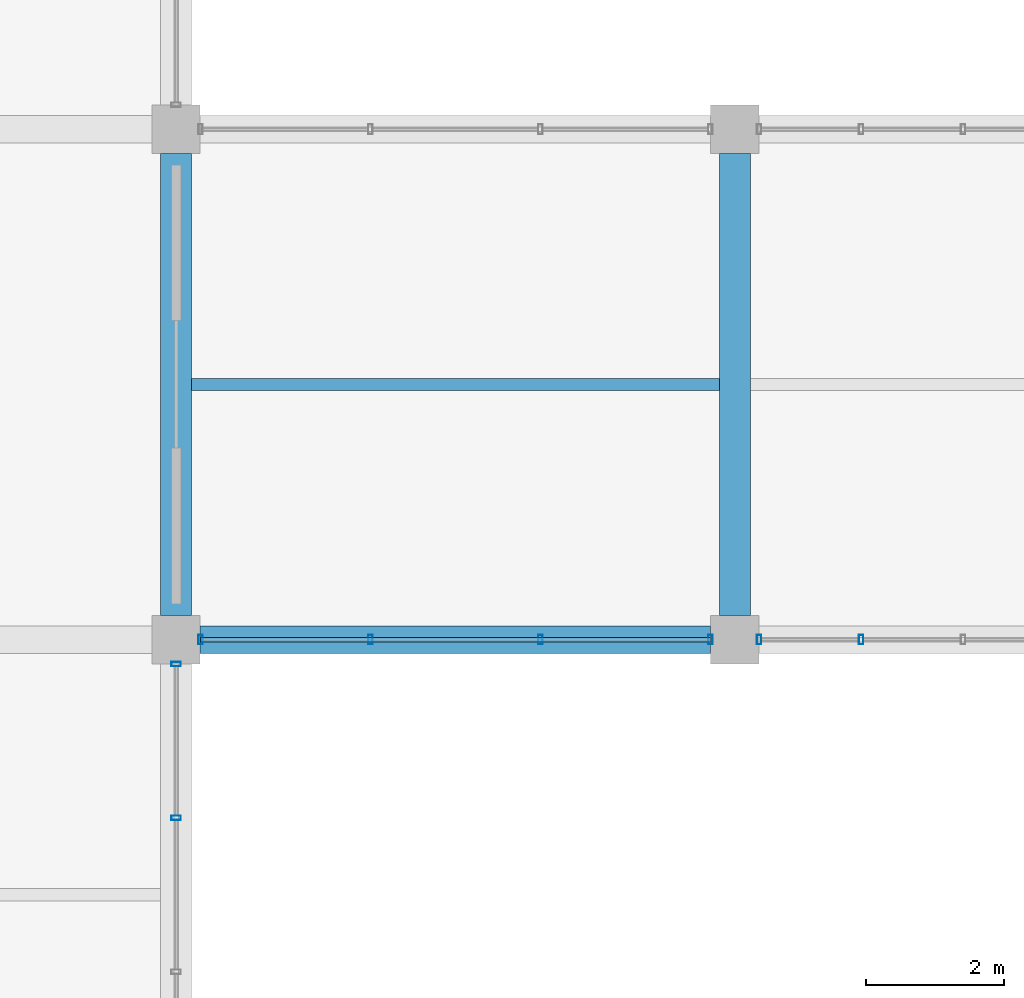
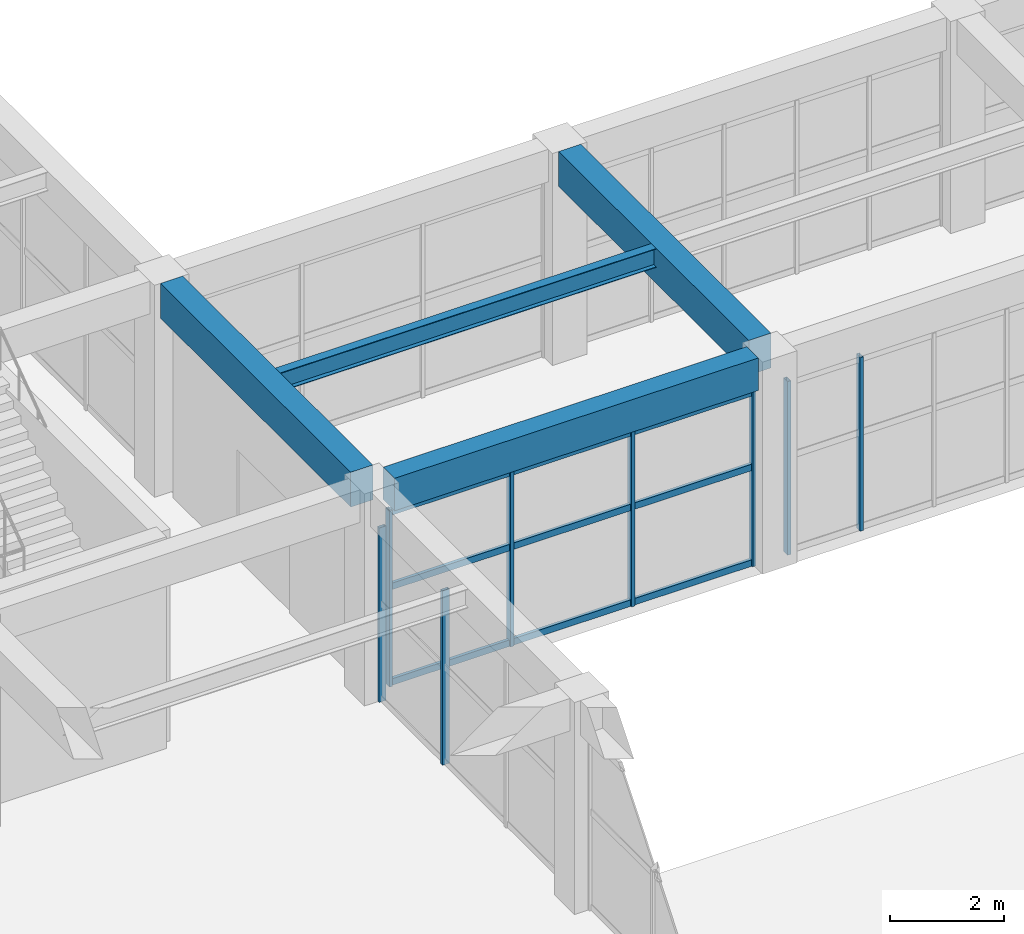
# One storey, part 29 of 161: 11 members, 4 beams, 3 elements without a shape of their own.
"""IFC4 building model written with IfcOpenShell, lengths in metres."""

from ifc_helpers import new_model, si_unit, direction, frame, origin, origin_2d, place, context, subcontext, project, spatial, rectangle, hollow_rectangle, i_section, extrude, material, material_profile, profile_set, type_object, element, aggregate, save


model = new_model("IFC4")

# Units and contexts
model_context = context("Model", 3, precision=1e-05, world=origin(), true_north=direction((0.0, 1.0)))
body_context = subcontext(model_context, "Body", "Model", "MODEL_VIEW")
ifc_project = project(units=[si_unit("LENGTHUNIT", "METRE"), si_unit("AREAUNIT", "SQUARE_METRE"), si_unit("VOLUMEUNIT", "CUBIC_METRE"), si_unit("PLANEANGLEUNIT", "RADIAN"), si_unit("MASSUNIT", "GRAM", prefix="KILO")], contexts=[model_context])

# Site, building, storey
site_placement = place(None, origin())
site = spatial("IfcSite", under=ifc_project, at=site_placement, CompositionType="ELEMENT")
building_placement = place(site_placement, origin())
building = spatial("IfcBuilding", under=site, at=building_placement, Name="Cimatlan Art Gallery", CompositionType="ELEMENT")
storey_placement = place(building_placement, frame((0.0, 0.0, 5.39990234375)))
storey = spatial("IfcBuildingStorey", under=building, at=storey_placement, Name="L01", CompositionType="ELEMENT", Elevation=5.39990234375)

# Beams
ifc_material_1 = material(Name="Concrete C40/50", Category="concrete")
ifc_material_profile_1 = material_profile(ifc_material_1, rectangle(XDim=0.39990234375, YDim=0.699951171875, at=origin_2d()), Name="RC400X700")
ifc_profile_set_1 = profile_set([ifc_material_profile_1], Name="Concrete C40/50")
beam_type_1 = type_object("IfcBeamType", Name="BM-RC-400X700", PredefinedType="BEAM", material=ifc_profile_set_1)
beam_1_placement = place(storey_placement, frame((50.949951171875, 53.5, 4.210205078125), z_axis=(1.0, 0.0, 0.0), x_axis=(0.0, 1.0, 0.0)))
element("IfcBeam", 1, at=beam_1_placement, inside=storey, type_object=beam_type_1, Name="BM-X-L01-06-07", PredefinedType="BEAM", context=body_context, shape_type="SweptSolid", body=[
    extrude(rectangle(XDim=0.39990234375, YDim=0.699951171875, at=origin_2d()), origin(), (0.0, 0.0, 1.0), 7.400146484375),
])
ifc_material_profile_2 = material_profile(ifc_material_1, rectangle(XDim=0.449951171875, YDim=0.75, at=origin_2d()), Name="RC450X750")
ifc_profile_set_2 = profile_set([ifc_material_profile_2], Name="Concrete C40/50")
beam_type_2 = type_object("IfcBeamType", Name="BM-RC-450X750", PredefinedType="BEAM", material=ifc_profile_set_2)
for number, where, z_axis, x_axis, name in (
    (2, (50.60009765625, 53.85009765625, 4.18505859375), (0.0, 1.0, 0.0), (-1.0, 0.0, 0.0), "BM-Y-L01-06-07"),
    (3, (58.699951171875, 53.85009765625, 4.18505859375), (0.0, 1.0, 0.0), (-1.0, 0.0, 0.0), "BM-Y-L01-07-07"),
):
    element("IfcBeam", number, at=place(storey_placement, frame(where, z_axis=z_axis, x_axis=x_axis)), inside=storey, type_object=beam_type_2, Name=name, PredefinedType="BEAM", context=body_context, shape_type="SweptSolid", body=[
        extrude(rectangle(XDim=0.449951171875, YDim=0.75, at=origin_2d()), origin(), (0.0, 0.0, 1.0), 6.699951171875),
    ])
ifc_material_2 = material(Name="Steel ASTM A992 Grade 50", Category="steel")
ifc_material_profile_3 = material_profile(ifc_material_2, i_section(OverallWidth=0.177978515625, OverallDepth=0.406982421875, WebThickness=0.0078125, FlangeThickness=0.0126953125, at=origin_2d()), Name="W16X40")
ifc_profile_set_3 = profile_set([ifc_material_profile_3], Name="Steel ASTM A992 Grade 50")
beam_type_3 = type_object("IfcBeamType", Name="BM-STL-W16X40", PredefinedType="JOIST", material=ifc_profile_set_3)
beam_2_placement = place(storey_placement, frame((50.824951171875, 57.199951171875, 4.356689453125), z_axis=(1.0, 0.0, 0.0), x_axis=(0.0, 1.0, 0.0)))
element("IfcBeam", 4, at=beam_2_placement, inside=storey, type_object=beam_type_3, Name="JST-L01-06-07", PredefinedType="JOIST", context=body_context, shape_type="SweptSolid", body=[
    extrude(i_section(OverallWidth=0.177978515625, OverallDepth=0.406982421875, WebThickness=0.0078125, FlangeThickness=0.0126953125, at=origin_2d()), origin(), (0.0, 0.0, 1.0), 7.650146484375),
])

# Curtain wall, members
ifc_material_3 = material(Name="Anodised bronze unitised curtain wall")
curtain_wall_type_1 = type_object("IfcCurtainWallType", Name="CW-V-06692X03750-B3", PredefinedType="NOTDEFINED", material=ifc_material_3)
curtain_wall_1_placement = place(storey_placement, origin())
curtain_wall_1 = element("IfcCurtainWall", 5, at=curtain_wall_1_placement, inside=storey, type_object=curtain_wall_type_1, Name="CW-L01-05-06-E", PredefinedType="NOTDEFINED")
ifc_material_4 = material(Name="Anodised bronze aluminium 6063-T6", Category="aluminium")
ifc_material_profile_4 = material_profile(ifc_material_4, hollow_rectangle(XDim=0.06494140625, YDim=0.139892578125, WallThickness=0.00390625, at=origin_2d()), Name="ALU65X140X4")
ifc_profile_set_4 = profile_set([ifc_material_profile_4], Name="Anodised bronze aluminium 6063-T6")
member_type_1 = type_object("IfcMemberType", Name="CW-MUL-140", PredefinedType="MULLION", material=ifc_profile_set_4)
member_1_placement = place(storey_placement, frame((50.60009765625, 53.14599609375, 0.0), z_axis=(0.0, 0.0, 1.0), x_axis=(0.0, 1.0, 0.0)))
member_1 = element("IfcMember", 6, at=member_1_placement, type_object=member_type_1, Name="CW-L01-05-06-E-M1", PredefinedType="MULLION", context=body_context, shape_type="SweptSolid", body=[
    extrude(hollow_rectangle(XDim=0.06494140625, YDim=0.139892578125, WallThickness=0.00390625, at=origin_2d()), origin(), (0.0, 0.0, 1.0), 3.75),
])
member_2_placement = place(storey_placement, frame((50.60009765625, 50.915283203125, 0.0), z_axis=(0.0, 0.0, 1.0), x_axis=(0.0, 1.0, 0.0)))
member_2 = element("IfcMember", 7, at=member_2_placement, type_object=member_type_1, Name="CW-L01-05-06-E-M2", PredefinedType="MULLION", context=body_context, shape_type="SweptSolid", body=[
    extrude(hollow_rectangle(XDim=0.06494140625, YDim=0.139892578125, WallThickness=0.00390625, at=origin_2d()), origin(), (0.0, 0.0, 1.0), 3.75),
])
aggregate(curtain_wall_1, [member_1, member_2])

curtain_wall_type_2 = type_object("IfcCurtainWallType", Name="CW-V-07392X03780-B3", PredefinedType="NOTDEFINED", material=ifc_material_3)
curtain_wall_2_placement = place(storey_placement, origin())
curtain_wall_2 = element("IfcCurtainWall", 8, at=curtain_wall_2_placement, inside=storey, type_object=curtain_wall_type_2, Name="CW-L01-06-07-S", PredefinedType="NOTDEFINED")
member_3_placement = place(storey_placement, frame((58.345947265625, 53.5, 0.0), z_axis=(0.0, 0.0, 1.0), x_axis=(1.0, 0.0, 0.0)))
member_3 = element("IfcMember", 9, at=member_3_placement, type_object=member_type_1, Name="CW-L01-06-07-S-M1", PredefinedType="MULLION", context=body_context, shape_type="SweptSolid", body=[
    extrude(hollow_rectangle(XDim=0.06494140625, YDim=0.139892578125, WallThickness=0.00390625, at=origin_2d()), origin(), (0.0, 0.0, 1.0), 3.780029296875),
])
member_4_placement = place(storey_placement, frame((55.882080078125, 53.5, 0.0), z_axis=(0.0, 0.0, 1.0), x_axis=(1.0, 0.0, 0.0)))
member_4 = element("IfcMember", 10, at=member_4_placement, type_object=member_type_1, Name="CW-L01-06-07-S-M2", PredefinedType="MULLION", context=body_context, shape_type="SweptSolid", body=[
    extrude(hollow_rectangle(XDim=0.06494140625, YDim=0.139892578125, WallThickness=0.00390625, at=origin_2d()), origin(), (0.0, 0.0, 1.0), 3.780029296875),
])
member_5_placement = place(storey_placement, frame((53.41796875, 53.5, 0.0), z_axis=(0.0, 0.0, 1.0), x_axis=(1.0, 0.0, 0.0)))
member_5 = element("IfcMember", 11, at=member_5_placement, type_object=member_type_1, Name="CW-L01-06-07-S-M3", PredefinedType="MULLION", context=body_context, shape_type="SweptSolid", body=[
    extrude(hollow_rectangle(XDim=0.06494140625, YDim=0.139892578125, WallThickness=0.00390625, at=origin_2d()), origin(), (0.0, 0.0, 1.0), 3.780029296875),
])
member_6_placement = place(storey_placement, frame((50.9541015625, 53.5, 0.0), z_axis=(0.0, 0.0, 1.0), x_axis=(1.0, 0.0, 0.0)))
member_6 = element("IfcMember", 12, at=member_6_placement, type_object=member_type_1, Name="CW-L01-06-07-S-M4", PredefinedType="MULLION", context=body_context, shape_type="SweptSolid", body=[
    extrude(hollow_rectangle(XDim=0.06494140625, YDim=0.139892578125, WallThickness=0.00390625, at=origin_2d()), origin(), (0.0, 0.0, 1.0), 3.780029296875),
])

curtain_wall_type_3 = type_object("IfcCurtainWallType", Name="CW-V-07392X03735-B5", PredefinedType="NOTDEFINED", material=ifc_material_3)
curtain_wall_3_placement = place(storey_placement, origin())
curtain_wall_3 = element("IfcCurtainWall", 13, at=curtain_wall_3_placement, inside=storey, type_object=curtain_wall_type_3, Name="CW-L01-07-07-S", PredefinedType="NOTDEFINED")
member_7_placement = place(storey_placement, frame((60.532470703125, 53.5, 0.0), z_axis=(0.0, 0.0, 1.0), x_axis=(1.0, 0.0, 0.0)))
member_7 = element("IfcMember", 14, at=member_7_placement, type_object=member_type_1, Name="CW-L01-07-07-S-M5", PredefinedType="MULLION", context=body_context, shape_type="SweptSolid", body=[
    extrude(hollow_rectangle(XDim=0.06494140625, YDim=0.139892578125, WallThickness=0.00390625, at=origin_2d()), origin(), (0.0, 0.0, 1.0), 3.735107421875),
])
member_8_placement = place(storey_placement, frame((59.053955078125, 53.5, 0.0), z_axis=(0.0, 0.0, 1.0), x_axis=(1.0, 0.0, 0.0)))
member_8 = element("IfcMember", 15, at=member_8_placement, type_object=member_type_1, Name="CW-L01-07-07-S-M6", PredefinedType="MULLION", context=body_context, shape_type="SweptSolid", body=[
    extrude(hollow_rectangle(XDim=0.06494140625, YDim=0.139892578125, WallThickness=0.00390625, at=origin_2d()), origin(), (0.0, 0.0, 1.0), 3.735107421875),
])
aggregate(curtain_wall_3, [member_7, member_8])

# Member
ifc_material_profile_5 = material_profile(ifc_material_4, hollow_rectangle(XDim=0.06494140625, YDim=0.139892578125, WallThickness=0.00390625, at=origin_2d()), Name="ALU65X140X4")
ifc_profile_set_5 = profile_set([ifc_material_profile_5], Name="Anodised bronze aluminium 6063-T6")
member_type_2 = type_object("IfcMemberType", Name="CW-TRN-140", PredefinedType="USERDEFINED", material=ifc_profile_set_5)
member_9_placement = place(storey_placement, frame((58.345947265625, 53.5, 0.06005859375), z_axis=(-1.0, 0.0, 0.0), x_axis=(0.0, -1.0, 0.0)))
member_9 = element("IfcMember", 16, at=member_9_placement, type_object=member_type_2, Name="CW-L01-06-07-S-T1", ObjectType="TRANSOM", PredefinedType="USERDEFINED", context=body_context, shape_type="SweptSolid", body=[
    extrude(hollow_rectangle(XDim=0.06494140625, YDim=0.139892578125, WallThickness=0.00390625, at=origin_2d()), origin(), (0.0, 0.0, 1.0), 7.391845703125),
])

member_10_placement = place(storey_placement, frame((58.345947265625, 53.5, 2.116943359375), z_axis=(-1.0, 0.0, 0.0), x_axis=(0.0, -1.0, 0.0)))
member_10 = element("IfcMember", 17, at=member_10_placement, type_object=member_type_2, Name="CW-L01-06-07-S-T2", ObjectType="TRANSOM", PredefinedType="USERDEFINED", context=body_context, shape_type="SweptSolid", body=[
    extrude(hollow_rectangle(XDim=0.06494140625, YDim=0.139892578125, WallThickness=0.00390625, at=origin_2d()), origin(), (0.0, 0.0, 1.0), 7.391845703125),
])

member_11_placement = place(storey_placement, frame((58.345947265625, 53.5, 3.72021484375), z_axis=(-1.0, 0.0, 0.0), x_axis=(0.0, -1.0, 0.0)))
member_11 = element("IfcMember", 18, at=member_11_placement, type_object=member_type_2, Name="CW-L01-06-07-S-T3", ObjectType="TRANSOM", PredefinedType="USERDEFINED", context=body_context, shape_type="SweptSolid", body=[
    extrude(hollow_rectangle(XDim=0.06494140625, YDim=0.139892578125, WallThickness=0.00390625, at=origin_2d()), origin(), (0.0, 0.0, 1.0), 7.391845703125),
])

aggregate(curtain_wall_2, [member_3, member_4, member_5, member_6, member_9, member_10, member_11])

save(model, "model.ifc")
